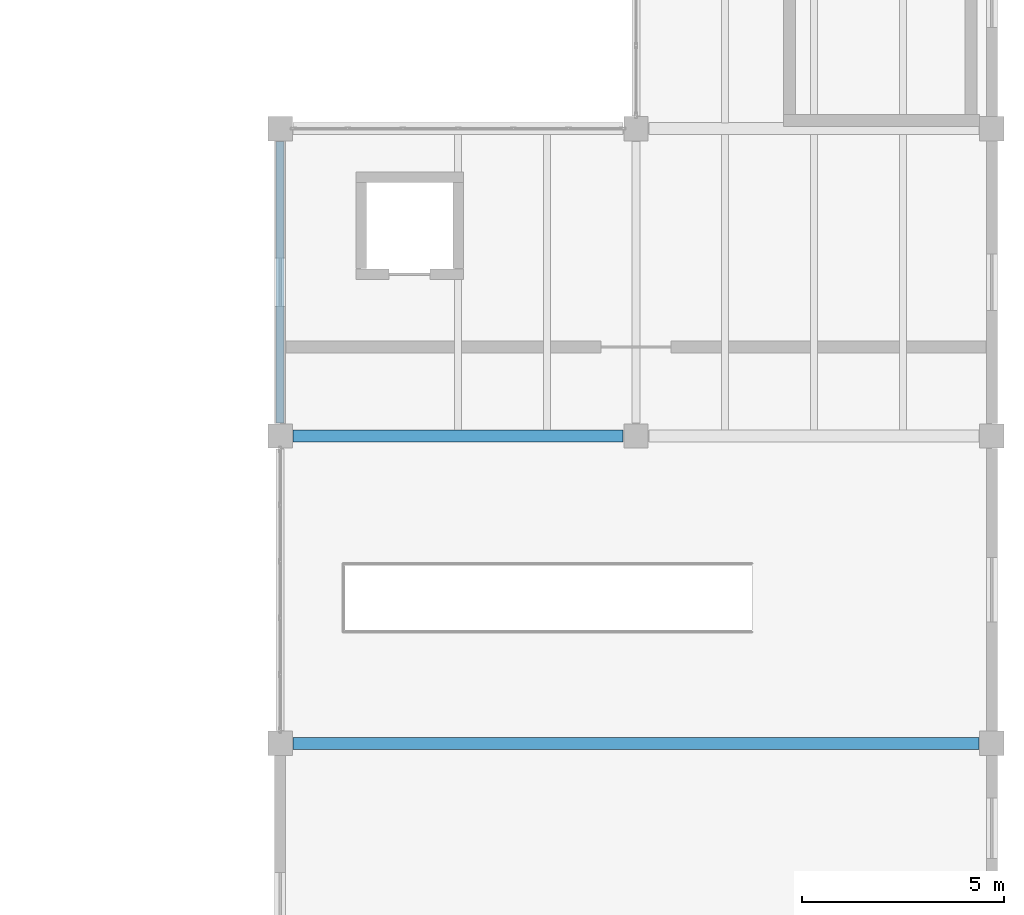
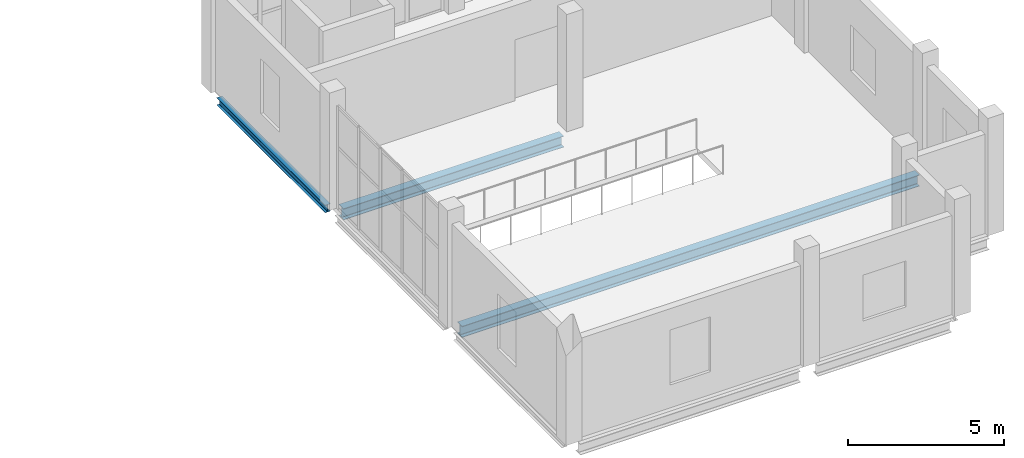
# One storey, part 69 of 136: 3 beams.
"""IFC4 building model written with IfcOpenShell, lengths in metres."""

from ifc_helpers import new_model, si_unit, direction, frame, origin, origin_2d, place, context, subcontext, project, spatial, i_section, extrude, material, material_profile, profile_set, type_object, element, save


model = new_model("IFC4")

# Units and contexts
model_context = context("Model", 3, precision=1e-05, world=origin(), true_north=direction((0.0, 1.0)))
body_context = subcontext(model_context, "Body", "Model", "MODEL_VIEW")
ifc_project = project(units=[si_unit("LENGTHUNIT", "METRE"), si_unit("AREAUNIT", "SQUARE_METRE"), si_unit("VOLUMEUNIT", "CUBIC_METRE"), si_unit("PLANEANGLEUNIT", "RADIAN"), si_unit("MASSUNIT", "GRAM", prefix="KILO")], contexts=[model_context])

# Site, building, storey
site_placement = place(None, origin())
site = spatial("IfcSite", under=ifc_project, at=site_placement, CompositionType="ELEMENT")
building_placement = place(site_placement, origin())
building = spatial("IfcBuilding", under=site, at=building_placement, Name="Shengluoqiao Park Theatre", CompositionType="ELEMENT")
storey_placement = place(building_placement, frame((0.0, 0.0, 10.0)))
storey = spatial("IfcBuildingStorey", under=building, at=storey_placement, Name="L02", CompositionType="ELEMENT", Elevation=10.0)

# Beams
ifc_material = material(Name="Steel Q355", Category="steel")
ifc_material_profile_1 = material_profile(ifc_material, i_section(OverallWidth=0.199951171875, OverallDepth=0.2939453125, WebThickness=0.008056640625, FlangeThickness=0.011962890625, FilletRadius=0.01611328125, at=origin_2d()), Name="HM 294x200x8x12")
ifc_profile_set_1 = profile_set([ifc_material_profile_1], Name="Steel Q355")
beam_type_1 = type_object("IfcBeamType", Name="STR-BM-G-HM294", PredefinedType="BEAM", material=ifc_profile_set_1)
beam_1_placement = place(storey_placement, frame((148.39990234375, 15.51904296875, -0.386962890625), z_axis=(0.0, 1.0, 0.0), x_axis=(-1.0, 0.0, 0.0)))
element("IfcBeam", 1, at=beam_1_placement, inside=storey, type_object=beam_type_1, Name="L02 Transverse Girder 01193", PredefinedType="BEAM", context=body_context, shape_type="SweptSolid", body=[
    extrude(i_section(OverallWidth=0.199951171875, OverallDepth=0.2939453125, WebThickness=0.008056640625, FlangeThickness=0.011962890625, FilletRadius=0.01611328125, at=origin_2d()), origin(), (0.0, 0.0, 1.0), 6.9619140625),
])
ifc_material_profile_2 = material_profile(ifc_material, i_section(OverallWidth=0.300048828125, OverallDepth=0.43994140625, WebThickness=0.010986328125, FlangeThickness=0.01806640625, FilletRadius=0.02001953125, at=origin_2d()), Name="HM 440x300x11x18")
ifc_profile_set_2 = profile_set([ifc_material_profile_2], Name="Steel Q355")
beam_type_2 = type_object("IfcBeamType", Name="STR-BM-G-HM440", PredefinedType="BEAM", material=ifc_profile_set_2)
beam_2_placement = place(storey_placement, frame((148.718994140625, 7.60009765625, -0.4599609375), z_axis=(1.0, 0.0, 0.0), x_axis=(0.0, 1.0, 0.0)))
element("IfcBeam", 2, at=beam_2_placement, inside=storey, type_object=beam_type_2, Name="L02 Primary Girder 01187", PredefinedType="BEAM", context=body_context, shape_type="SweptSolid", body=[
    extrude(i_section(OverallWidth=0.300048828125, OverallDepth=0.43994140625, WebThickness=0.010986328125, FlangeThickness=0.01806640625, FilletRadius=0.02001953125, at=origin_2d()), origin(), (0.0, 0.0, 1.0), 16.9619140625),
])
beam_3_placement = place(storey_placement, frame((148.718994140625, 15.199951171875, -0.4599609375), z_axis=(1.0, 0.0, 0.0), x_axis=(0.0, 1.0, 0.0)))
element("IfcBeam", 3, at=beam_3_placement, inside=storey, type_object=beam_type_2, Name="L02 Primary Girder 01188", PredefinedType="BEAM", context=body_context, shape_type="SweptSolid", body=[
    extrude(i_section(OverallWidth=0.300048828125, OverallDepth=0.43994140625, WebThickness=0.010986328125, FlangeThickness=0.01806640625, FilletRadius=0.02001953125, at=origin_2d()), origin(), (0.0, 0.0, 1.0), 8.162109375),
])

save(model, "model.ifc")
